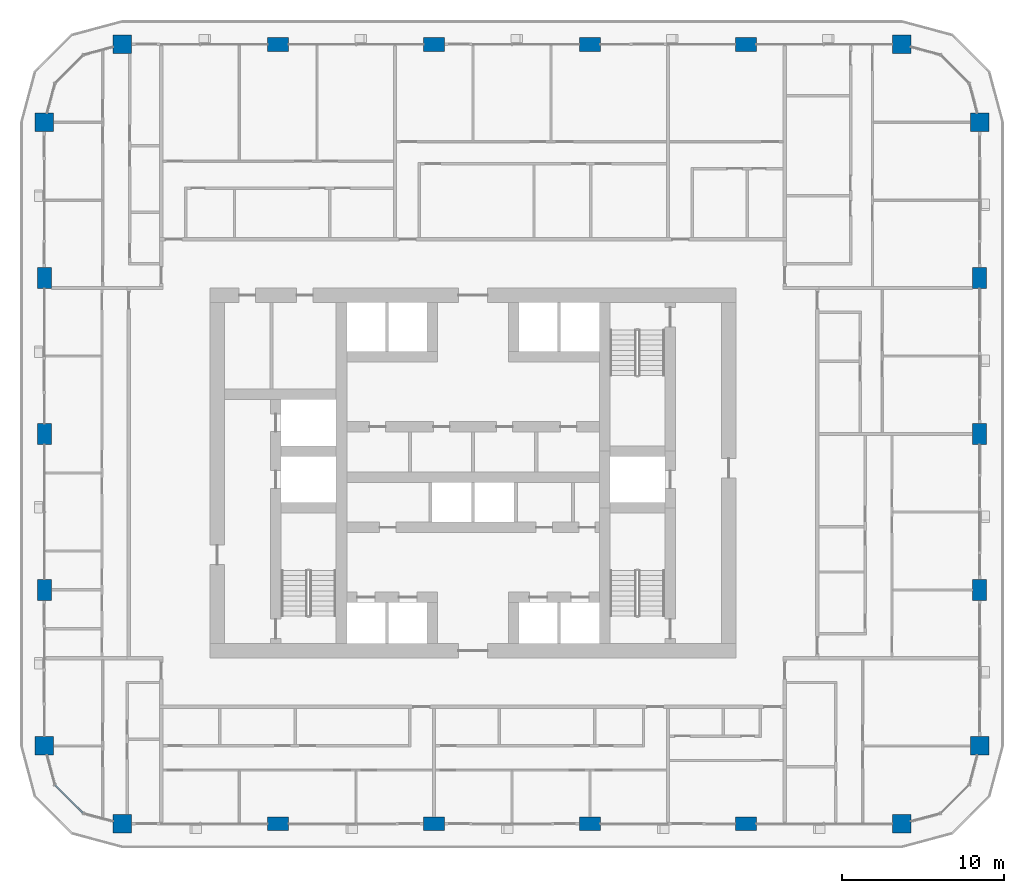
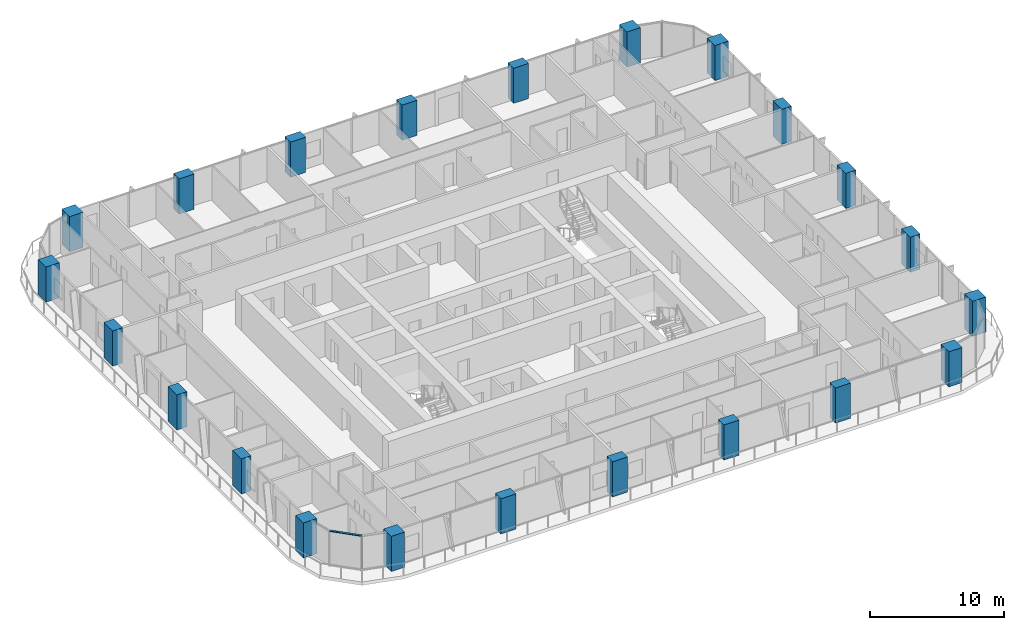
# One storey, part 1 of 21: 22 columns, 1 member, 1 element without a shape of its own.
"""IFC4 building model written with IfcOpenShell, lengths in metres."""

from ifc_helpers import new_model, si_unit, direction, frame, origin, origin_2d, place, context, subcontext, project, spatial, rectangle, extrude, material, layer, layer_set, material_profile, profile_set, type_object, element, aggregate, save


model = new_model("IFC4")

# Units and contexts
model_context = context("Model", 3, precision=1e-05, world=origin(), true_north=direction((0.0, 1.0)))
body_context = subcontext(model_context, "Body", "Model", "MODEL_VIEW")
ifc_project = project(units=[si_unit("LENGTHUNIT", "METRE"), si_unit("AREAUNIT", "SQUARE_METRE"), si_unit("VOLUMEUNIT", "CUBIC_METRE"), si_unit("PLANEANGLEUNIT", "RADIAN"), si_unit("MASSUNIT", "GRAM", prefix="KILO")], contexts=[model_context])

# Site, building, storey
site_placement = place(None, origin())
site = spatial("IfcSite", under=ifc_project, at=site_placement, CompositionType="ELEMENT")
building_placement = place(site_placement, origin())
building = spatial("IfcBuilding", under=site, at=building_placement, Name="Madar Terraces", CompositionType="ELEMENT")
storey_placement = place(building_placement, frame((0.0, 0.0, 92.699951171875)))
storey = spatial("IfcBuildingStorey", under=building, at=storey_placement, Name="L23", CompositionType="ELEMENT", Elevation=92.699951171875)

# Columns
ifc_material_1 = material(Name="Concrete C80/95", Category="concrete")
ifc_material_profile_1 = material_profile(ifc_material_1, rectangle(XDim=1.300048828125, YDim=0.85009765625, at=origin_2d()), Name="CC2 RC 1300x850")
ifc_profile_set_1 = profile_set([ifc_material_profile_1], Name="Concrete C80/95")
column_type_1 = type_object("IfcColumnType", Name="CC2 RC 1300x850", PredefinedType="COLUMN", material=ifc_profile_set_1)
for number, where, z_axis, x_axis, name in (
    (1, (19.199951171875, 4.800048828125, 0.0), (0.0, 0.0, 1.0), (1.0, 0.0, 0.0), "Perimeter column S2"),
    (2, (28.800048828125, 4.800048828125, 0.0), (0.0, 0.0, 1.0), (1.0, 0.0, 0.0), "Perimeter column S3"),
    (3, (38.39990234375, 4.800048828125, 0.0), (0.0, 0.0, 1.0), (1.0, 0.0, 0.0), "Perimeter column S4"),
    (4, (48.0, 4.800048828125, 0.0), (0.0, 0.0, 1.0), (1.0, 0.0, 0.0), "Perimeter column S5"),
    (5, (62.39990234375, 19.199951171875, 0.0), (0.0, 0.0, 1.0), (0.0, 1.0, 0.0), "Perimeter column E2"),
    (6, (62.39990234375, 28.800048828125, 0.0), (0.0, 0.0, 1.0), (0.0, 1.0, 0.0), "Perimeter column E3"),
    (7, (62.39990234375, 38.39990234375, 0.0), (0.0, 0.0, 1.0), (0.0, 1.0, 0.0), "Perimeter column E4"),
    (8, (48.0, 52.800048828125, 0.0), (0.0, 0.0, 1.0), (1.0, 0.0, 0.0), "Perimeter column N2"),
    (9, (38.39990234375, 52.800048828125, 0.0), (0.0, 0.0, 1.0), (1.0, 0.0, 0.0), "Perimeter column N3"),
    (10, (28.800048828125, 52.800048828125, 0.0), (0.0, 0.0, 1.0), (1.0, 0.0, 0.0), "Perimeter column N4"),
    (11, (19.199951171875, 52.800048828125, 0.0), (0.0, 0.0, 1.0), (1.0, 0.0, 0.0), "Perimeter column N5"),
    (12, (4.800048828125, 38.39990234375, 0.0), (0.0, 0.0, 1.0), (0.0, 1.0, 0.0), "Perimeter column W2"),
    (13, (4.800048828125, 28.800048828125, 0.0), (0.0, 0.0, 1.0), (0.0, 1.0, 0.0), "Perimeter column W3"),
    (14, (4.800048828125, 19.199951171875, 0.0), (0.0, 0.0, 1.0), (0.0, 1.0, 0.0), "Perimeter column W4"),
):
    element("IfcColumn", number, at=place(storey_placement, frame(where, z_axis=z_axis, x_axis=x_axis)), inside=storey, type_object=column_type_1, Name=name, PredefinedType="COLUMN", context=body_context, shape_type="SweptSolid", body=[
        extrude(rectangle(XDim=1.300048828125, YDim=0.85009765625, at=origin_2d()), origin(), (0.0, 0.0, 1.0), 3.199951171875),
    ])
ifc_material_2 = material(Name="Concrete C80/95", Category="concrete")
ifc_material_profile_2 = material_profile(ifc_material_2, rectangle(XDim=1.14990234375, YDim=1.14990234375, at=origin_2d()), Name="KC2 RC 1150x1150")
ifc_profile_set_2 = profile_set([ifc_material_profile_2], Name="Concrete C80/95")
column_type_2 = type_object("IfcColumnType", Name="KC2 RC 1150x1150", PredefinedType="COLUMN", material=ifc_profile_set_2)
for number, where, z_axis, x_axis, name in (
    (15, (9.60009765625, 4.800048828125, 0.0), (0.0, 0.0, 1.0), (1.0, 0.0, 0.0), "Perimeter column S1"),
    (16, (57.60009765625, 4.800048828125, 0.0), (0.0, 0.0, 1.0), (1.0, 0.0, 0.0), "Perimeter column S6"),
    (17, (62.39990234375, 9.60009765625, 0.0), (0.0, 0.0, 1.0), (1.0, 0.0, 0.0), "Perimeter column E1"),
    (18, (62.39990234375, 48.0, 0.0), (0.0, 0.0, 1.0), (1.0, 0.0, 0.0), "Perimeter column E5"),
    (19, (57.60009765625, 52.800048828125, 0.0), (0.0, 0.0, 1.0), (1.0, 0.0, 0.0), "Perimeter column N1"),
    (20, (9.60009765625, 52.800048828125, 0.0), (0.0, 0.0, 1.0), (1.0, 0.0, 0.0), "Perimeter column N6"),
    (21, (4.800048828125, 48.0, 0.0), (0.0, 0.0, 1.0), (1.0, 0.0, 0.0), "Perimeter column W1"),
    (22, (4.800048828125, 9.60009765625, 0.0), (0.0, 0.0, 1.0), (1.0, 0.0, 0.0), "Perimeter column W5"),
):
    element("IfcColumn", number, at=place(storey_placement, frame(where, z_axis=z_axis, x_axis=x_axis)), inside=storey, type_object=column_type_2, Name=name, PredefinedType="COLUMN", context=body_context, shape_type="SweptSolid", body=[
        extrude(rectangle(XDim=1.14990234375, YDim=1.14990234375, at=origin_2d()), origin(), (0.0, 0.0, 1.0), 3.199951171875),
    ])

# Curtain wall, member
ifc_material_3 = material(Name="Glass, ceramic frit dark grey, with black aluminium frame", Category="aluminium")
ifc_layer = layer(ifc_material_3, 0.199951171875)
ifc_layer_set = layer_set([ifc_layer], Name="Facade curtain wall, fritted glass")
curtain_wall_type = type_object("IfcCurtainWallType", Name="Facade curtain wall, fritted glass", PredefinedType="NOTDEFINED", material=ifc_layer_set)
curtain_wall_placement = place(storey_placement, origin())
curtain_wall = element("IfcCurtainWall", 23, at=curtain_wall_placement, inside=storey, type_object=curtain_wall_type, Name="Outer skin curtain wall south-west corner", PredefinedType="NOTDEFINED")
ifc_material_4 = material(Name="Aluminium, black anodised", Category="aluminium")
ifc_material_profile_3 = material_profile(ifc_material_4, rectangle(XDim=0.1201171875, YDim=0.06005859375, at=origin_2d()), Name="Facade transom 60x120")
ifc_profile_set_3 = profile_set([ifc_material_profile_3], Name="Aluminium, black anodised")
member_type = type_object("IfcMemberType", Name="Facade transom 60x120", PredefinedType="USERDEFINED", material=ifc_profile_set_3)
member_placement = place(storey_placement, frame((5.46435546875, 7.1787109375, 3.170166015625), z_axis=(0.707106781187, -0.707106781187, 0.0), x_axis=(0.707106781187, 0.707106781187, 0.0)))
member = element("IfcMember", 24, at=member_placement, type_object=member_type, Name="Transom 2", ObjectType="TRANSOM", PredefinedType="USERDEFINED", context=body_context, shape_type="SweptSolid", body=[
    extrude(rectangle(XDim=0.1201171875, YDim=0.06005859375, at=origin_2d()), origin(), (0.0, 0.0, 1.0), 2.424560546875),
])
aggregate(curtain_wall, [member])

save(model, "model.ifc")
